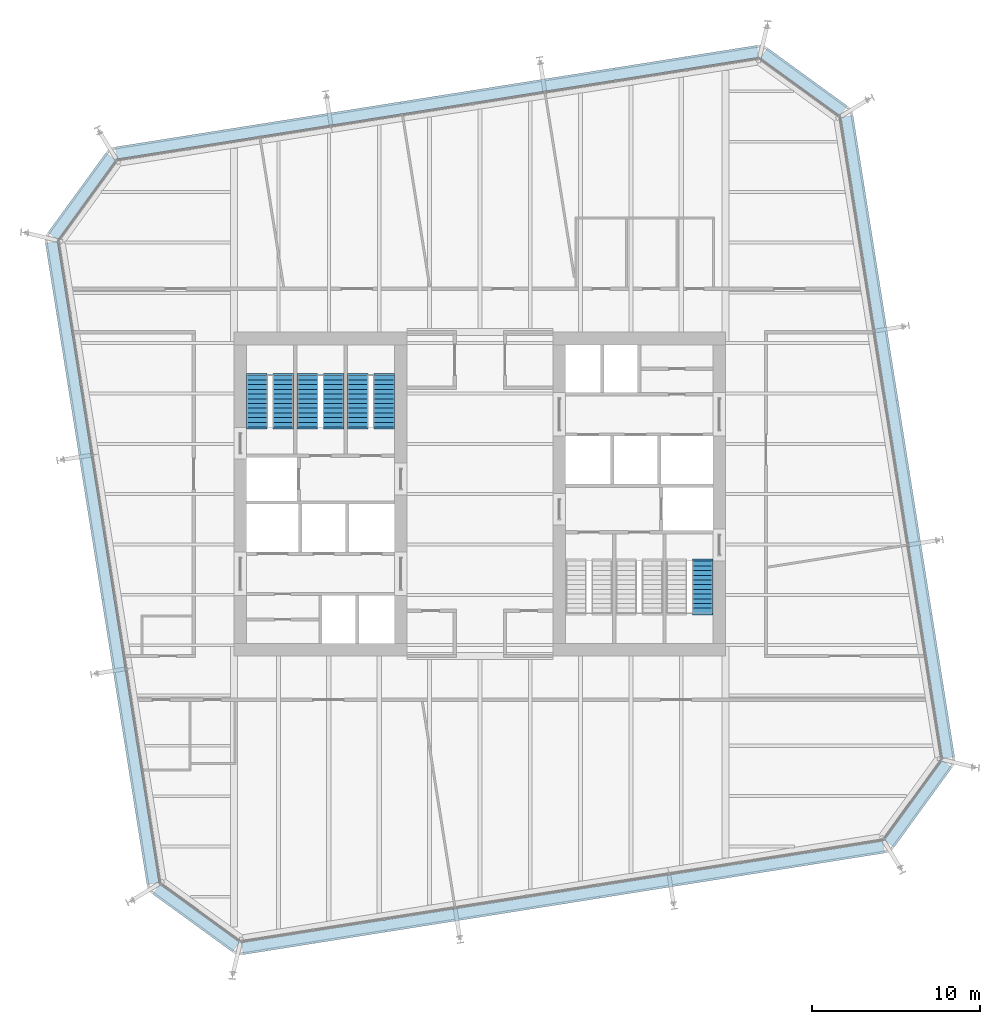
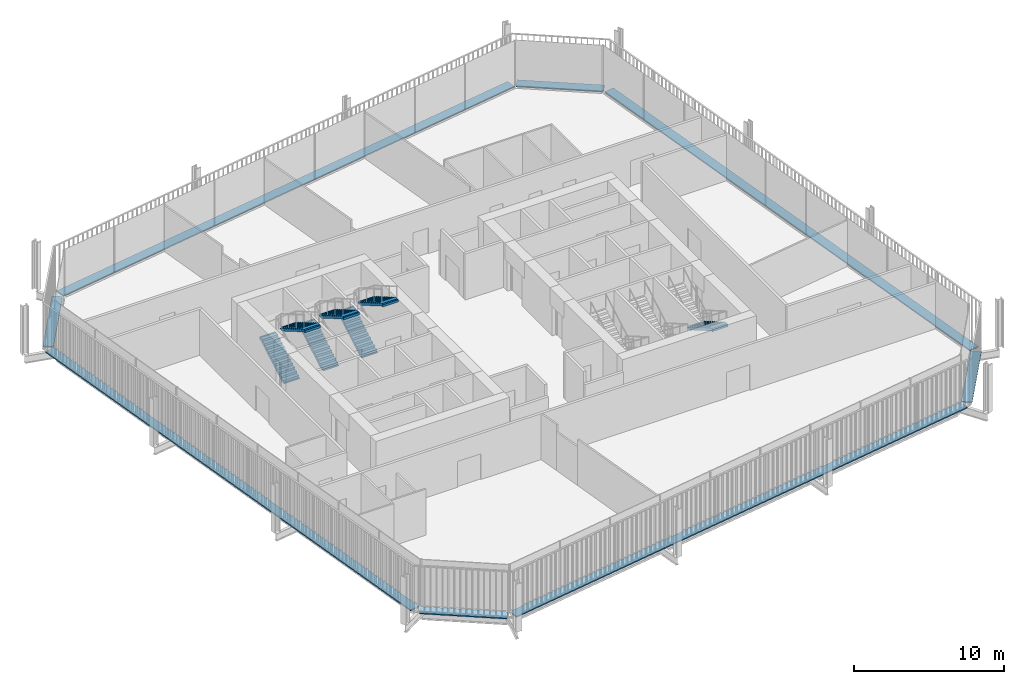
# One storey, part 20 of 21: 8 discrete accessories, 7 stair flights, 4 elements without a shape of their own.
"""IFC4 building model written with IfcOpenShell, lengths in metres."""

from ifc_helpers import new_model, si_unit, direction, frame, origin, origin_2d, place, context, subcontext, project, spatial, polyline, rectangle, outline, extrude, material, type_object, element, aggregate, save


model = new_model("IFC4")

# Units and contexts
model_context = context("Model", 3, precision=1e-05, world=origin(), true_north=direction((0.0, 1.0)))
body_context = subcontext(model_context, "Body", "Model", "MODEL_VIEW")
ifc_project = project(units=[si_unit("LENGTHUNIT", "METRE"), si_unit("AREAUNIT", "SQUARE_METRE"), si_unit("VOLUMEUNIT", "CUBIC_METRE"), si_unit("PLANEANGLEUNIT", "RADIAN"), si_unit("MASSUNIT", "GRAM", prefix="KILO")], contexts=[model_context])

# Site, building, storey
site_placement = place(None, origin())
site = spatial("IfcSite", under=ifc_project, at=site_placement, CompositionType="ELEMENT")
building_placement = place(site_placement, origin())
building = spatial("IfcBuilding", under=site, at=building_placement, Name="Millrace Tower", CompositionType="ELEMENT")
storey_placement = place(building_placement, frame((0.0, 0.0, 156.800048828125)))
storey = spatial("IfcBuildingStorey", under=building, at=storey_placement, Name="L35", CompositionType="ELEMENT", Elevation=156.800048828125)

# Stair, stair flights
ifc_material_1 = material(Name="Concrete C35", Category="concrete")
stair_type = type_object("IfcStairType", Name="Exit stair", PredefinedType="HALF_TURN_STAIR", material=ifc_material_1)
placement = place(storey_placement, origin())
stair_1 = element("IfcStair", 1, at=placement, inside=storey, type_object=stair_type, Name="Stair 1 W L35", PredefinedType="HALF_TURN_STAIR")
ifc_material_2 = material(Name="Concrete C35", Category="concrete")
stair_flight_type = type_object("IfcStairFlightType", Name="Exit stair flight", PredefinedType="STRAIGHT", material=ifc_material_2)
stair_flight_1_placement = place(storey_placement, frame((-13.2900390625, 4.0, 0.0), z_axis=(0.0, 0.0, 1.0), x_axis=(0.0, 1.0, 0.0)))
stair_flight_1 = element("IfcStairFlight", 2, at=stair_flight_1_placement, type_object=stair_flight_type, Name="ST12 flight 1", NumberOfRisers=12, NumberOfTreads=11, PredefinedType="STRAIGHT", RiserHeight=0.1625, TreadLength=0.28, context=body_context, shape_type="SweptSolid", body=[
    extrude(outline(polyline([(-0.1201171875, -0.0400390625), (-0.1201171875, 0.0), (0.0, 0.0), (0.0, 0.16259765625), (0.280029296875, 0.16259765625), (0.280029296875, 0.324951171875), (0.56005859375, 0.324951171875), (0.56005859375, 0.487548828125), (0.840087890625, 0.487548828125), (0.840087890625, 0.64990234375), (1.1201171875, 0.64990234375), (1.1201171875, 0.8125), (1.39990234375, 0.8125), (1.39990234375, 0.97509765625), (1.679931640625, 0.97509765625), (1.679931640625, 1.137451171875), (1.9599609375, 1.137451171875), (1.9599609375, 1.300048828125), (2.239990234375, 1.300048828125), (2.239990234375, 1.46240234375), (2.52001953125, 1.46240234375), (2.52001953125, 1.625), (2.800048828125, 1.625), (2.800048828125, 1.78759765625), (3.080078125, 1.78759765625), (3.080078125, 1.8076171875), (3.199951171875, 1.8076171875), (3.199951171875, 1.6142578125), (3.080078125, 1.6142578125), (0.298583984375, 0.0), (0.298583984375, -0.0400390625), (-0.1201171875, -0.0400390625)])), frame((0.0, 0.60986328125, 0.0), z_axis=(0.0, -1.0, 0.0), x_axis=(1.0, 0.0, 0.0)), (0.0, 0.0, 1.0), 1.219970703125),
])
stair_flight_2_placement = place(storey_placement, frame((-11.7099609375, 7.080078125, 1.949951171875), z_axis=(0.0, 0.0, 1.0), x_axis=(0.0, -1.0, 0.0)))
stair_flight_2 = element("IfcStairFlight", 3, at=stair_flight_2_placement, type_object=stair_flight_type, Name="ST12 flight 2", NumberOfRisers=12, NumberOfTreads=11, PredefinedType="STRAIGHT", RiserHeight=0.1625, TreadLength=0.28, context=body_context, shape_type="SweptSolid", body=[
    extrude(outline(polyline([(-0.1201171875, -0.0400390625), (-0.1201171875, 0.0), (0.0, 0.0), (0.0, 0.16259765625), (0.280029296875, 0.16259765625), (0.280029296875, 0.324951171875), (0.56005859375, 0.324951171875), (0.56005859375, 0.487548828125), (0.840087890625, 0.487548828125), (0.840087890625, 0.64990234375), (1.1201171875, 0.64990234375), (1.1201171875, 0.8125), (1.39990234375, 0.8125), (1.39990234375, 0.97509765625), (1.679931640625, 0.97509765625), (1.679931640625, 1.137451171875), (1.9599609375, 1.137451171875), (1.9599609375, 1.300048828125), (2.239990234375, 1.300048828125), (2.239990234375, 1.46240234375), (2.52001953125, 1.46240234375), (2.52001953125, 1.625), (2.800048828125, 1.625), (2.800048828125, 1.78759765625), (3.080078125, 1.78759765625), (3.080078125, 1.8076171875), (3.199951171875, 1.8076171875), (3.199951171875, 1.6142578125), (3.080078125, 1.6142578125), (0.298583984375, 0.0), (0.298583984375, -0.0400390625), (-0.1201171875, -0.0400390625)])), frame((0.0, 0.60986328125, 0.0), z_axis=(0.0, -1.0, 0.0), x_axis=(1.0, 0.0, 0.0)), (0.0, 0.0, 1.0), 1.219970703125),
])
aggregate(stair_1, [stair_flight_1, stair_flight_2])

stair_2 = element("IfcStair", 4, at=placement, inside=storey, type_object=stair_type, Name="Stair 2 W L35", PredefinedType="HALF_TURN_STAIR")
stair_flight_3_placement = place(storey_placement, frame((-10.2900390625, 4.0, 0.0), z_axis=(0.0, 0.0, 1.0), x_axis=(0.0, 1.0, 0.0)))
stair_flight_3 = element("IfcStairFlight", 5, at=stair_flight_3_placement, type_object=stair_flight_type, Name="ST12 flight 1", NumberOfRisers=12, NumberOfTreads=11, PredefinedType="STRAIGHT", RiserHeight=0.1625, TreadLength=0.28, context=body_context, shape_type="SweptSolid", body=[
    extrude(outline(polyline([(-0.1201171875, -0.0400390625), (-0.1201171875, 0.0), (0.0, 0.0), (0.0, 0.16259765625), (0.280029296875, 0.16259765625), (0.280029296875, 0.324951171875), (0.56005859375, 0.324951171875), (0.56005859375, 0.487548828125), (0.840087890625, 0.487548828125), (0.840087890625, 0.64990234375), (1.1201171875, 0.64990234375), (1.1201171875, 0.8125), (1.39990234375, 0.8125), (1.39990234375, 0.97509765625), (1.679931640625, 0.97509765625), (1.679931640625, 1.137451171875), (1.9599609375, 1.137451171875), (1.9599609375, 1.300048828125), (2.239990234375, 1.300048828125), (2.239990234375, 1.46240234375), (2.52001953125, 1.46240234375), (2.52001953125, 1.625), (2.800048828125, 1.625), (2.800048828125, 1.78759765625), (3.080078125, 1.78759765625), (3.080078125, 1.8076171875), (3.199951171875, 1.8076171875), (3.199951171875, 1.6142578125), (3.080078125, 1.6142578125), (0.298583984375, 0.0), (0.298583984375, -0.0400390625), (-0.1201171875, -0.0400390625)])), frame((0.0, 0.60986328125, 0.0), z_axis=(0.0, -1.0, 0.0), x_axis=(1.0, 0.0, 0.0)), (0.0, 0.0, 1.0), 1.219970703125),
])
stair_flight_4_placement = place(storey_placement, frame((-8.7099609375, 7.080078125, 1.949951171875), z_axis=(0.0, 0.0, 1.0), x_axis=(0.0, -1.0, 0.0)))
stair_flight_4 = element("IfcStairFlight", 6, at=stair_flight_4_placement, type_object=stair_flight_type, Name="ST12 flight 2", NumberOfRisers=12, NumberOfTreads=11, PredefinedType="STRAIGHT", RiserHeight=0.1625, TreadLength=0.28, context=body_context, shape_type="SweptSolid", body=[
    extrude(outline(polyline([(-0.1201171875, -0.0400390625), (-0.1201171875, 0.0), (0.0, 0.0), (0.0, 0.16259765625), (0.280029296875, 0.16259765625), (0.280029296875, 0.324951171875), (0.56005859375, 0.324951171875), (0.56005859375, 0.487548828125), (0.840087890625, 0.487548828125), (0.840087890625, 0.64990234375), (1.1201171875, 0.64990234375), (1.1201171875, 0.8125), (1.39990234375, 0.8125), (1.39990234375, 0.97509765625), (1.679931640625, 0.97509765625), (1.679931640625, 1.137451171875), (1.9599609375, 1.137451171875), (1.9599609375, 1.300048828125), (2.239990234375, 1.300048828125), (2.239990234375, 1.46240234375), (2.52001953125, 1.46240234375), (2.52001953125, 1.625), (2.800048828125, 1.625), (2.800048828125, 1.78759765625), (3.080078125, 1.78759765625), (3.080078125, 1.8076171875), (3.199951171875, 1.8076171875), (3.199951171875, 1.6142578125), (3.080078125, 1.6142578125), (0.298583984375, 0.0), (0.298583984375, -0.0400390625), (-0.1201171875, -0.0400390625)])), frame((0.0, 0.60986328125, 0.0), z_axis=(0.0, -1.0, 0.0), x_axis=(1.0, 0.0, 0.0)), (0.0, 0.0, 1.0), 1.219970703125),
])
aggregate(stair_2, [stair_flight_3, stair_flight_4])

stair_3 = element("IfcStair", 7, at=placement, inside=storey, type_object=stair_type, Name="Stair 3 W L35", PredefinedType="HALF_TURN_STAIR")
stair_flight_5_placement = place(storey_placement, frame((-7.2900390625, 4.0, 0.0), z_axis=(0.0, 0.0, 1.0), x_axis=(0.0, 1.0, 0.0)))
stair_flight_5 = element("IfcStairFlight", 8, at=stair_flight_5_placement, type_object=stair_flight_type, Name="ST12 flight 1", NumberOfRisers=12, NumberOfTreads=11, PredefinedType="STRAIGHT", RiserHeight=0.1625, TreadLength=0.28, context=body_context, shape_type="SweptSolid", body=[
    extrude(outline(polyline([(-0.1201171875, -0.0400390625), (-0.1201171875, 0.0), (0.0, 0.0), (0.0, 0.16259765625), (0.280029296875, 0.16259765625), (0.280029296875, 0.324951171875), (0.56005859375, 0.324951171875), (0.56005859375, 0.487548828125), (0.840087890625, 0.487548828125), (0.840087890625, 0.64990234375), (1.1201171875, 0.64990234375), (1.1201171875, 0.8125), (1.39990234375, 0.8125), (1.39990234375, 0.97509765625), (1.679931640625, 0.97509765625), (1.679931640625, 1.137451171875), (1.9599609375, 1.137451171875), (1.9599609375, 1.300048828125), (2.239990234375, 1.300048828125), (2.239990234375, 1.46240234375), (2.52001953125, 1.46240234375), (2.52001953125, 1.625), (2.800048828125, 1.625), (2.800048828125, 1.78759765625), (3.080078125, 1.78759765625), (3.080078125, 1.8076171875), (3.199951171875, 1.8076171875), (3.199951171875, 1.6142578125), (3.080078125, 1.6142578125), (0.298583984375, 0.0), (0.298583984375, -0.0400390625), (-0.1201171875, -0.0400390625)])), frame((0.0, 0.60986328125, 0.0), z_axis=(0.0, -1.0, 0.0), x_axis=(1.0, 0.0, 0.0)), (0.0, 0.0, 1.0), 1.219970703125),
])
stair_flight_6_placement = place(storey_placement, frame((-5.7099609375, 7.080078125, 1.949951171875), z_axis=(0.0, 0.0, 1.0), x_axis=(0.0, -1.0, 0.0)))
stair_flight_6 = element("IfcStairFlight", 9, at=stair_flight_6_placement, type_object=stair_flight_type, Name="ST12 flight 2", NumberOfRisers=12, NumberOfTreads=11, PredefinedType="STRAIGHT", RiserHeight=0.1625, TreadLength=0.28, context=body_context, shape_type="SweptSolid", body=[
    extrude(outline(polyline([(-0.1201171875, -0.0400390625), (-0.1201171875, 0.0), (0.0, 0.0), (0.0, 0.16259765625), (0.280029296875, 0.16259765625), (0.280029296875, 0.324951171875), (0.56005859375, 0.324951171875), (0.56005859375, 0.487548828125), (0.840087890625, 0.487548828125), (0.840087890625, 0.64990234375), (1.1201171875, 0.64990234375), (1.1201171875, 0.8125), (1.39990234375, 0.8125), (1.39990234375, 0.97509765625), (1.679931640625, 0.97509765625), (1.679931640625, 1.137451171875), (1.9599609375, 1.137451171875), (1.9599609375, 1.300048828125), (2.239990234375, 1.300048828125), (2.239990234375, 1.46240234375), (2.52001953125, 1.46240234375), (2.52001953125, 1.625), (2.800048828125, 1.625), (2.800048828125, 1.78759765625), (3.080078125, 1.78759765625), (3.080078125, 1.8076171875), (3.199951171875, 1.8076171875), (3.199951171875, 1.6142578125), (3.080078125, 1.6142578125), (0.298583984375, 0.0), (0.298583984375, -0.0400390625), (-0.1201171875, -0.0400390625)])), frame((0.0, 0.60986328125, 0.0), z_axis=(0.0, -1.0, 0.0), x_axis=(1.0, 0.0, 0.0)), (0.0, 0.0, 1.0), 1.219970703125),
])
aggregate(stair_3, [stair_flight_5, stair_flight_6])

# Stair, stair flight
stair_4 = element("IfcStair", 10, at=placement, inside=storey, type_object=stair_type, Name="Stair 1 E L35", PredefinedType="HALF_TURN_STAIR")
stair_flight_7_placement = place(storey_placement, frame((13.2900390625, -4.0, 0.0), z_axis=(0.0, 0.0, 1.0), x_axis=(0.0, -1.0, 0.0)))
stair_flight_7 = element("IfcStairFlight", 11, at=stair_flight_7_placement, type_object=stair_flight_type, Name="ST12 flight 1", NumberOfRisers=12, NumberOfTreads=11, PredefinedType="STRAIGHT", RiserHeight=0.1625, TreadLength=0.28, context=body_context, shape_type="SweptSolid", body=[
    extrude(outline(polyline([(-0.1201171875, -0.0400390625), (-0.1201171875, 0.0), (0.0, 0.0), (0.0, 0.16259765625), (0.280029296875, 0.16259765625), (0.280029296875, 0.324951171875), (0.56005859375, 0.324951171875), (0.56005859375, 0.487548828125), (0.840087890625, 0.487548828125), (0.840087890625, 0.64990234375), (1.1201171875, 0.64990234375), (1.1201171875, 0.8125), (1.39990234375, 0.8125), (1.39990234375, 0.97509765625), (1.679931640625, 0.97509765625), (1.679931640625, 1.137451171875), (1.9599609375, 1.137451171875), (1.9599609375, 1.300048828125), (2.239990234375, 1.300048828125), (2.239990234375, 1.46240234375), (2.52001953125, 1.46240234375), (2.52001953125, 1.625), (2.800048828125, 1.625), (2.800048828125, 1.78759765625), (3.080078125, 1.78759765625), (3.080078125, 1.8076171875), (3.199951171875, 1.8076171875), (3.199951171875, 1.6142578125), (3.080078125, 1.6142578125), (0.298583984375, 0.0), (0.298583984375, -0.0400390625), (-0.1201171875, -0.0400390625)])), frame((0.0, 0.60986328125, 0.0), z_axis=(0.0, -1.0, 0.0), x_axis=(1.0, 0.0, 0.0)), (0.0, 0.0, 1.0), 1.219970703125),
])
aggregate(stair_4, [stair_flight_7])

# Discrete accessories
ifc_material_3 = material(Name="Stainless steel ASTM A240 type 316", Category="steel")
discrete_accessory_type = type_object("IfcDiscreteAccessoryType", Name="Thermally broken screen support rail", PredefinedType="BRACKET", material=ifc_material_3)
discrete_accessory_1_placement = place(storey_placement, frame((-16.909423828125, -25.275390625, 0.0), z_axis=(0.0, 0.0, 1.0), x_axis=(0.809016981623, -0.587785269844, 0.0)))
element("IfcDiscreteAccessory", 12, at=discrete_accessory_1_placement, inside=storey, type_object=discrete_accessory_type, Name="Thermally broken screen support rail C-F01 L35 1", PredefinedType="BRACKET", context=body_context, shape_type="SweptSolid", body=[
    extrude(rectangle(XDim=5.868896484375, YDim=0.719970703125, at=origin_2d()), origin(), (0.0, 0.0, 1.0), 0.10009765625),
])
discrete_accessory_2_placement = place(storey_placement, frame((4.9560546875, -24.064453125, 0.0), z_axis=(0.0, 0.0, 1.0), x_axis=(0.98768833929, 0.15643447328, 0.0)))
element("IfcDiscreteAccessory", 13, at=discrete_accessory_2_placement, inside=storey, type_object=discrete_accessory_type, Name="Thermally broken screen support rail C-F02 L35 1", PredefinedType="BRACKET", context=body_context, shape_type="SweptSolid", body=[
    extrude(rectangle(XDim=38.699951171875, YDim=0.719970703125, at=origin_2d()), origin(), (0.0, 0.0, 1.0), 0.10009765625),
])
discrete_accessory_3_placement = place(storey_placement, frame((26.12548828125, -18.45947265625, 0.0), z_axis=(0.0, 0.0, 1.0), x_axis=(0.587785269844, 0.809016981623, 0.0)))
element("IfcDiscreteAccessory", 14, at=discrete_accessory_3_placement, inside=storey, type_object=discrete_accessory_type, Name="Thermally broken screen support rail C-F03 L35 1", PredefinedType="BRACKET", context=body_context, shape_type="SweptSolid", body=[
    extrude(rectangle(XDim=5.868896484375, YDim=0.719970703125, at=origin_2d()), origin(), (0.0, 0.0, 1.0), 0.10009765625),
])
discrete_accessory_4_placement = place(storey_placement, frame((24.914306640625, 3.406005859375, 0.0), z_axis=(0.0, 0.0, 1.0), x_axis=(-0.15643447328, 0.98768833929, 0.0)))
element("IfcDiscreteAccessory", 15, at=discrete_accessory_4_placement, inside=storey, type_object=discrete_accessory_type, Name="Thermally broken screen support rail C-F04 L35 1", PredefinedType="BRACKET", context=body_context, shape_type="SweptSolid", body=[
    extrude(rectangle(XDim=38.699951171875, YDim=0.719970703125, at=origin_2d()), origin(), (0.0, 0.0, 1.0), 0.10009765625),
])
discrete_accessory_5_placement = place(storey_placement, frame((19.309326171875, 24.575439453125, 0.0), z_axis=(0.0, 0.0, 1.0), x_axis=(-0.809016981623, 0.587785269844, 0.0)))
element("IfcDiscreteAccessory", 16, at=discrete_accessory_5_placement, inside=storey, type_object=discrete_accessory_type, Name="Thermally broken screen support rail C-F05 L35 1", PredefinedType="BRACKET", context=body_context, shape_type="SweptSolid", body=[
    extrude(rectangle(XDim=5.868896484375, YDim=0.719970703125, at=origin_2d()), origin(), (0.0, 0.0, 1.0), 0.10009765625),
])
discrete_accessory_6_placement = place(storey_placement, frame((-2.555908203125, 23.364501953125, 0.0), z_axis=(0.0, 0.0, 1.0), x_axis=(-0.98768833929, -0.15643447328, 0.0)))
element("IfcDiscreteAccessory", 17, at=discrete_accessory_6_placement, inside=storey, type_object=discrete_accessory_type, Name="Thermally broken screen support rail C-F06 L35 1", PredefinedType="BRACKET", context=body_context, shape_type="SweptSolid", body=[
    extrude(rectangle(XDim=38.699951171875, YDim=0.719970703125, at=origin_2d()), origin(), (0.0, 0.0, 1.0), 0.10009765625),
])
discrete_accessory_7_placement = place(storey_placement, frame((-23.725341796875, 17.75927734375, 0.0), z_axis=(0.0, 0.0, 1.0), x_axis=(-0.587785269844, -0.809016981623, 0.0)))
element("IfcDiscreteAccessory", 18, at=discrete_accessory_7_placement, inside=storey, type_object=discrete_accessory_type, Name="Thermally broken screen support rail C-F07 L35 1", PredefinedType="BRACKET", context=body_context, shape_type="SweptSolid", body=[
    extrude(rectangle(XDim=5.868896484375, YDim=0.719970703125, at=origin_2d()), origin(), (0.0, 0.0, 1.0), 0.10009765625),
])
discrete_accessory_8_placement = place(storey_placement, frame((-22.514404296875, -4.10595703125, 0.0), z_axis=(0.0, 0.0, 1.0), x_axis=(0.15643447328, -0.98768833929, 0.0)))
element("IfcDiscreteAccessory", 19, at=discrete_accessory_8_placement, inside=storey, type_object=discrete_accessory_type, Name="Thermally broken screen support rail C-F08 L35 1", PredefinedType="BRACKET", context=body_context, shape_type="SweptSolid", body=[
    extrude(rectangle(XDim=38.699951171875, YDim=0.719970703125, at=origin_2d()), origin(), (0.0, 0.0, 1.0), 0.10009765625),
])

save(model, "model.ifc")
